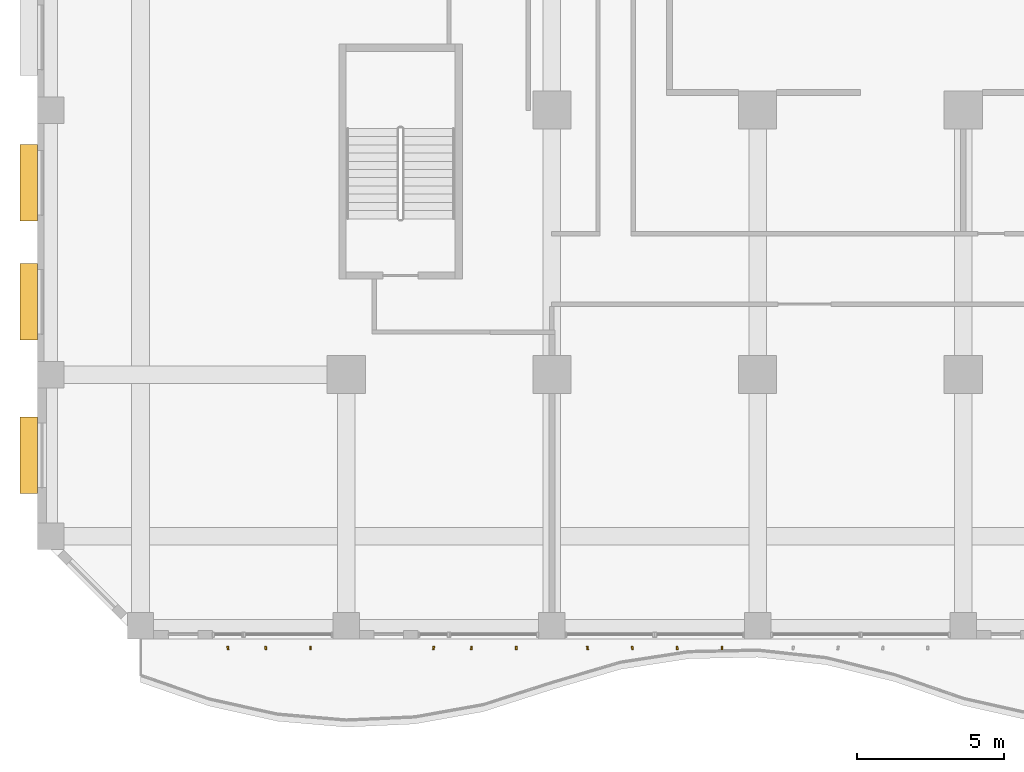
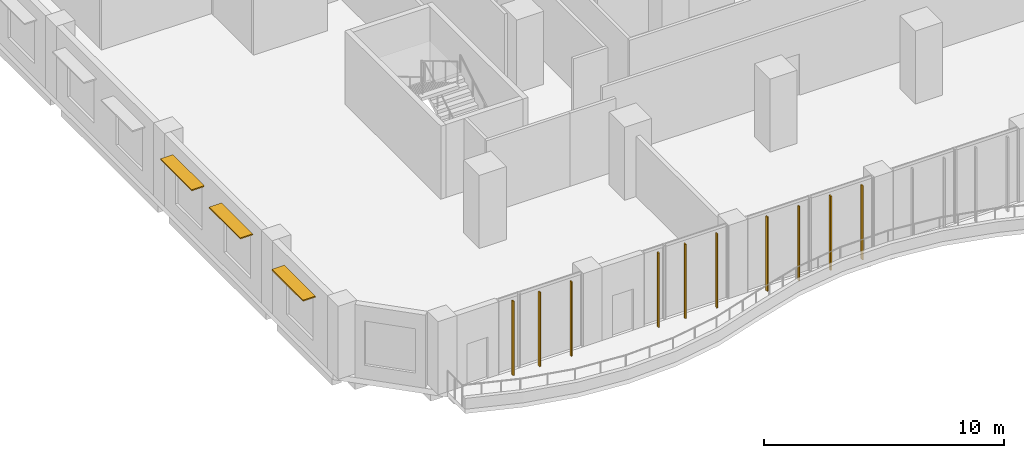
# One storey, part 18 of 27: 13 shading devices.
"""IFC4 building model written with IfcOpenShell, lengths in metres."""

from ifc_helpers import new_model, si_unit, direction, frame, origin, origin_2d, place, context, subcontext, project, spatial, rectangle, extrude, source, transform, mapped, material, layer, layer_set, material_profile, profile_set, type_object, element, save


model = new_model("IFC4")

# Units and contexts
model_context = context("Model", 3, precision=1e-05, world=origin(), true_north=direction((0.0, 1.0)))
body_context = subcontext(model_context, "Body", "Model", "MODEL_VIEW")
ifc_project = project(units=[si_unit("LENGTHUNIT", "METRE"), si_unit("AREAUNIT", "SQUARE_METRE"), si_unit("VOLUMEUNIT", "CUBIC_METRE"), si_unit("PLANEANGLEUNIT", "RADIAN"), si_unit("MASSUNIT", "GRAM", prefix="KILO")], contexts=[model_context])

# Site, building, storey
site_placement = place(None, origin())
site = spatial("IfcSite", under=ifc_project, at=site_placement, CompositionType="ELEMENT")
building_placement = place(site_placement, origin())
building = spatial("IfcBuilding", under=site, at=building_placement, Name="Kilnfold Tower and Market Hall", CompositionType="ELEMENT")
storey_placement = place(building_placement, frame((0.0, 0.0, 47.0)))
storey = spatial("IfcBuildingStorey", under=building, at=storey_placement, Name="L10", CompositionType="ELEMENT", Elevation=47.0)

# Shading devices
ifc_material_1 = material(Name="Terracotta", Category="masonry")
ifc_material_profile = material_profile(ifc_material_1, rectangle(XDim=0.06005859375, YDim=0.1201171875, at=origin_2d()), Name="BAG 60x120")
ifc_profile_set = profile_set([ifc_material_profile], Name="Terracotta")
shading_device_type_1 = type_object("IfcShadingDeviceType", Name="BAGUETTE", PredefinedType="USERDEFINED", material=ifc_profile_set)
shared_shape_1 = source(origin(), body_context, "Body", "SweptSolid", [
    extrude(rectangle(XDim=0.06005859375, YDim=0.1201171875, at=origin_2d()), origin(), (0.0, 0.0, 1.0), 3.780029296875),
])
for number, where, z_axis, x_axis, name in (
    (1, (-21.52490234375, -28.300048828125, 0.0), (0.0, 0.0, 1.0), (0.990825606822, 0.135146649481, 0.0), "Terracotta baguette L10 S"),
    (2, (-20.237548828125, -28.300048828125, 0.0), (0.0, 0.0, 1.0), (0.99546403116, 0.095138649698, 0.0), "Terracotta baguette L10 S"),
    (3, (-18.71240234375, -28.300048828125, 0.0), (0.0, 0.0, 1.0), (0.999956763549, 0.009298980234, 0.0), "Terracotta baguette L10 S"),
    (4, (-14.52490234375, -28.300048828125, 0.0), (0.0, 0.0, 1.0), (0.990825606822, -0.135146649481, 0.0), "Terracotta baguette L10 S"),
    (5, (-13.237548828125, -28.300048828125, 0.0), (0.0, 0.0, 1.0), (0.99546403116, -0.095138649698, 0.0), "Terracotta baguette L10 S"),
    (6, (-11.71240234375, -28.300048828125, 0.0), (0.0, 0.0, 1.0), (0.999956763549, -0.009298980234, 0.0), "Terracotta baguette L10 S"),
    (7, (-9.28759765625, -28.300048828125, 0.0), (0.0, 0.0, 1.0), (0.992916031435, 0.118818157361, 0.0), "Terracotta baguette L10 S"),
    (8, (-7.762451171875, -28.300048828125, 0.0), (0.0, 0.0, 1.0), (0.990444824744, 0.137909568695, 0.0), "Terracotta baguette L10 S"),
    (9, (-6.237548828125, -28.300048828125, 0.0), (0.0, 0.0, 1.0), (0.99546403116, 0.095138649698, 0.0), "Terracotta baguette L10 S"),
    (10, (-4.71240234375, -28.300048828125, 0.0), (0.0, 0.0, 1.0), (0.999956763549, 0.009298980234, 0.0), "Terracotta baguette L10 S"),
):
    element("IfcShadingDevice", number, at=place(storey_placement, frame(where, z_axis=z_axis, x_axis=x_axis)), inside=storey, type_object=shading_device_type_1, Name=name, ObjectType="BAGUETTE", PredefinedType="USERDEFINED", context=body_context, shape_type="MappedRepresentation", body=[
        mapped(shared_shape_1, transform((0.0, 0.0, 0.0))),
    ])
ifc_material_2 = material(Name="Terracotta", Category="masonry")
ifc_layer = layer(ifc_material_2, 0.06005859375)
ifc_layer_set = layer_set([ifc_layer], Name="Terracotta")
shading_device_type_2 = type_object("IfcShadingDeviceType", Name="SUNSHADE BLADE 600", PredefinedType="USERDEFINED", material=ifc_layer_set)
shared_shape_2 = source(origin(), body_context, "Body", "SweptSolid", [
    extrude(rectangle(XDim=2.60009765625, YDim=0.60009765625, at=origin_2d()), origin(), (0.0, 0.0, 1.0), 0.06005859375),
])
for number, where, z_axis, x_axis, name in (
    (11, (-28.300048828125, -12.47509765625, 3.030029296875), (0.0, 0.0, 1.0), (0.0, -1.0, 0.0), "Sunshade L10 W"),
    (12, (-28.300048828125, -16.52490234375, 3.030029296875), (0.0, 0.0, 1.0), (0.0, -1.0, 0.0), "Sunshade L10 W"),
    (13, (-28.300048828125, -21.75, 3.030029296875), (0.0, 0.0, 1.0), (0.0, -1.0, 0.0), "Sunshade L10 W"),
):
    element("IfcShadingDevice", number, at=place(storey_placement, frame(where, z_axis=z_axis, x_axis=x_axis)), inside=storey, type_object=shading_device_type_2, Name=name, ObjectType="SUNSHADE", PredefinedType="USERDEFINED", context=body_context, shape_type="MappedRepresentation", body=[
        mapped(shared_shape_2, transform((0.0, 0.0, 0.0))),
    ])

save(model, "model.ifc")
